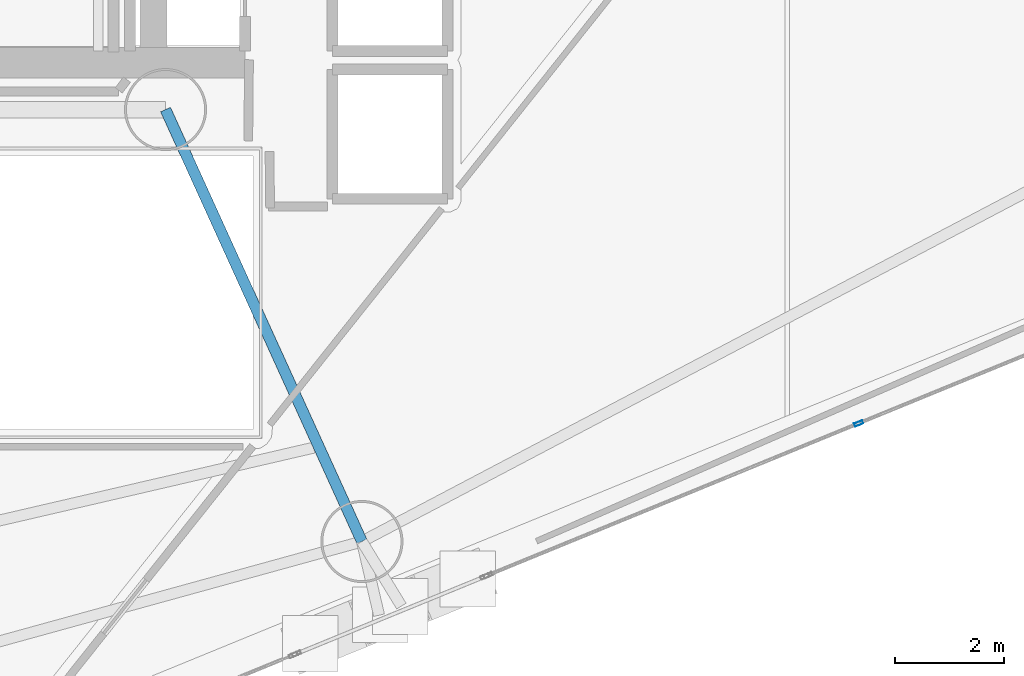
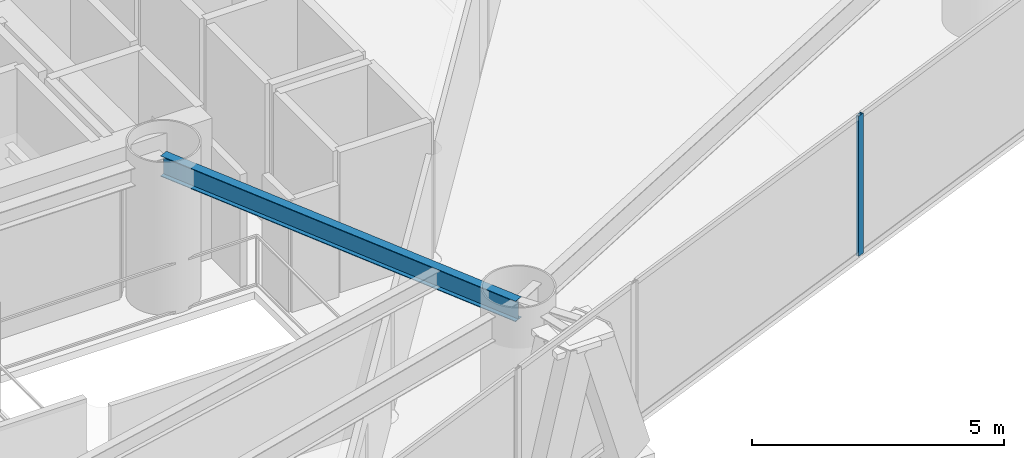
# One storey, part 5 of 22: 1 beam, 1 member, 1 element without a shape of its own.
"""IFC4 building model written with IfcOpenShell, lengths in metres."""

from ifc_helpers import new_model, si_unit, direction, frame, origin, origin_2d, place, context, subcontext, project, spatial, hollow_rectangle, i_section, extrude, material, layer, layer_set, material_profile, profile_set, type_object, element, aggregate, save


model = new_model("IFC4")

# Units and contexts
model_context = context("Model", 3, precision=1e-05, world=origin(), true_north=direction((0.0, 1.0)))
body_context = subcontext(model_context, "Body", "Model", "MODEL_VIEW")
ifc_project = project(units=[si_unit("LENGTHUNIT", "METRE"), si_unit("AREAUNIT", "SQUARE_METRE"), si_unit("VOLUMEUNIT", "CUBIC_METRE"), si_unit("PLANEANGLEUNIT", "RADIAN"), si_unit("MASSUNIT", "GRAM", prefix="KILO")], contexts=[model_context])

# Site, building, storey
site_placement = place(None, origin())
site = spatial("IfcSite", under=ifc_project, at=site_placement, CompositionType="ELEMENT")
building_placement = place(site_placement, origin())
building = spatial("IfcBuilding", under=site, at=building_placement, Name="Qianvela Tower", CompositionType="ELEMENT")
storey_placement = place(building_placement, frame((0.0, 0.0, 134.800048828125)))
storey = spatial("IfcBuildingStorey", under=building, at=storey_placement, Name="L34", CompositionType="ELEMENT", Elevation=134.800048828125)

# Beam
ifc_material_1 = material(Name="Steel Q355B", Category="steel")
ifc_material_profile_1 = material_profile(ifc_material_1, i_section(OverallWidth=0.199951171875, OverallDepth=0.5, WebThickness=0.010009765625, FlangeThickness=0.01611328125, at=origin_2d()), Name="HN500x200x10x16")
ifc_profile_set_1 = profile_set([ifc_material_profile_1], Name="Steel Q355B")
beam_type = type_object("IfcBeamType", Name="BM-HN500-GIRD", PredefinedType="BEAM", material=ifc_profile_set_1)
beam_placement = place(storey_placement, frame((38.39990234375, 23.85009765625, 3.14794921875), z_axis=(0.413839009437, -0.910350083357, 0.0), x_axis=(0.910350083357, 0.413839009437, 0.0)))
element("IfcBeam", 1, at=beam_placement, inside=storey, type_object=beam_type, Name="L34 Radial Primary Floor Girder 6", PredefinedType="BEAM", context=body_context, shape_type="SweptSolid", body=[
    extrude(i_section(OverallWidth=0.199951171875, OverallDepth=0.5, WebThickness=0.010009765625, FlangeThickness=0.01611328125, at=origin_2d()), origin(), (0.0, 0.0, 1.0), 8.67041015625),
])

# Curtain wall, member
ifc_material_2 = material(Name="Anodised Architectural Aluminium and Low-E Glass", Category="aluminium")
ifc_layer = layer(ifc_material_2, 0.169921875)
ifc_layer_set = layer_set([ifc_layer], Name="Anodised Architectural Aluminium and Low-E Glass")
curtain_wall_type = type_object("IfcCurtainWallType", Name="CW-COLIV-Z34", PredefinedType="USERDEFINED", material=ifc_layer_set)
curtain_wall_placement = place(storey_placement, origin())
curtain_wall = element("IfcCurtainWall", 2, at=curtain_wall_placement, inside=storey, type_object=curtain_wall_type, Name="L34 CW-COLIV-Z34 Curtain Wall 06C", ObjectType="CURTAIN_WALL_SYSTEM", PredefinedType="USERDEFINED")
ifc_material_3 = material(Name="Anodised Architectural Aluminium 6063-T6", Category="aluminium")
ifc_material_profile_2 = material_profile(ifc_material_3, hollow_rectangle(XDim=0.06494140625, YDim=0.159912109375, WallThickness=0.0048828125, at=origin_2d()), Name="ALU-MULL-65x160")
ifc_profile_set_2 = profile_set([ifc_material_profile_2], Name="Anodised Architectural Aluminium 6063-T6")
member_type = type_object("IfcMemberType", Name="CW-COLIV-Z34-MULL", PredefinedType="MULLION", material=ifc_profile_set_2)
member_placement = place(storey_placement, frame((51.065673828125, 18.1142578125, 0.0), z_axis=(0.0, 0.0, 1.0), x_axis=(-0.379023421912, 0.925387078817, 0.0)))
member = element("IfcMember", 3, at=member_placement, type_object=member_type, Name="CW-4 mullion 2", PredefinedType="MULLION", context=body_context, shape_type="SweptSolid", body=[
    extrude(hollow_rectangle(XDim=0.06494140625, YDim=0.159912109375, WallThickness=0.0048828125, at=origin_2d()), origin(), (0.0, 0.0, 1.0), 3.39990234375),
])
aggregate(curtain_wall, [member])

save(model, "model.ifc")
